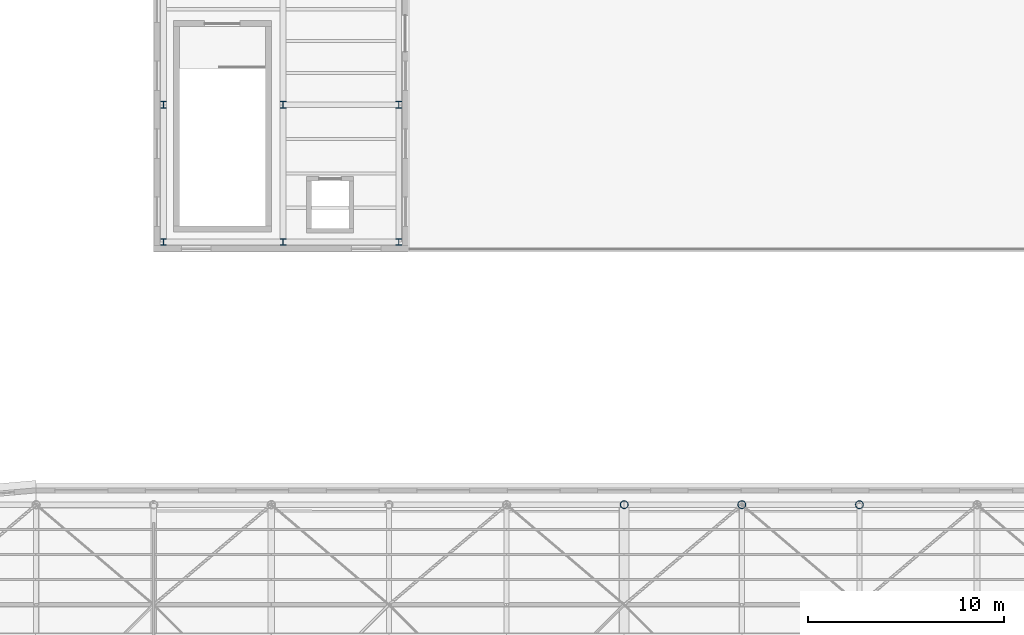
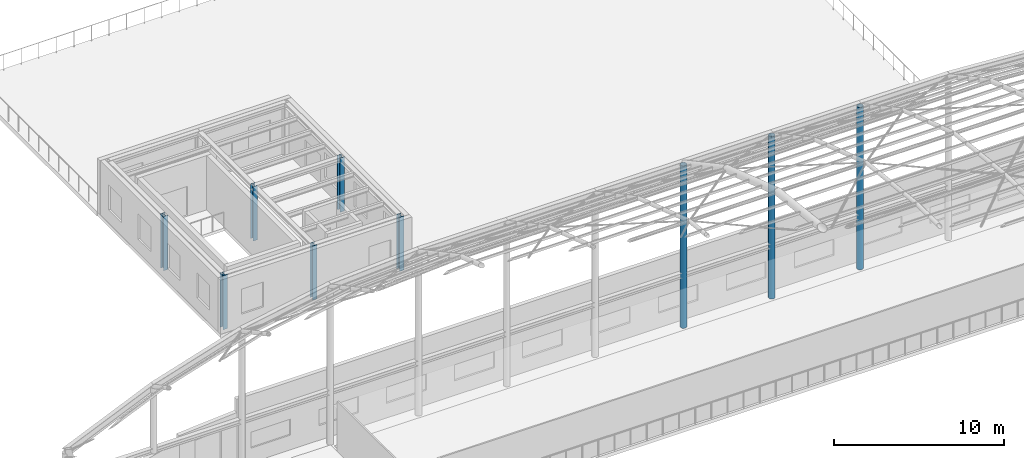
# One storey, part 10 of 75: 9 columns.
"""IFC4 building model written with IfcOpenShell, lengths in metres."""

from ifc_helpers import new_model, si_unit, direction, frame, origin, origin_2d, place, context, subcontext, project, spatial, hollow_circle, i_section, extrude, material, material_profile, profile_set, type_object, element, save


model = new_model("IFC4")

# Units and contexts
model_context = context("Model", 3, precision=1e-05, world=origin(), true_north=direction((0.0, 1.0)))
body_context = subcontext(model_context, "Body", "Model", "MODEL_VIEW")
ifc_project = project(units=[si_unit("LENGTHUNIT", "METRE"), si_unit("AREAUNIT", "SQUARE_METRE"), si_unit("VOLUMEUNIT", "CUBIC_METRE"), si_unit("PLANEANGLEUNIT", "RADIAN"), si_unit("MASSUNIT", "GRAM", prefix="KILO")], contexts=[model_context])

# Site, building, storey
site_placement = place(None, origin())
site = spatial("IfcSite", under=ifc_project, at=site_placement, CompositionType="ELEMENT")
building_placement = place(site_placement, origin())
building = spatial("IfcBuilding", under=site, at=building_placement, Name="Kolvaren Corner Interchange", CompositionType="ELEMENT")
storey_placement = place(building_placement, frame((0.0, 0.0, 10.5)))
storey = spatial("IfcBuildingStorey", under=building, at=storey_placement, Name="L03", CompositionType="ELEMENT", Elevation=10.5)

# Columns
ifc_material_1 = material(Name="Steel S355", Category="steel")
ifc_material_profile_1 = material_profile(ifc_material_1, hollow_circle(Radius=0.203125, WallThickness=0.01611328125, at=origin_2d()), Name="CHS 406.4x16.0")
ifc_profile_set_1 = profile_set([ifc_material_profile_1], Name="Steel S355")
column_type_1 = type_object("IfcColumnType", Name="COL-CHS406", PredefinedType="COLUMN", material=ifc_profile_set_1)
for number, where, z_axis, x_axis, name in (
    (1, (90.0, 71.10009765625, 0.0), (0.0, 0.0, 1.0), (1.0, 0.0, 0.0), "Storey L03 Structural Column 0582"),
    (2, (96.0, 71.10009765625, 0.0), (0.0, 0.0, 1.0), (1.0, 0.0, 0.0), "Storey L03 Structural Column 0602"),
    (3, (102.0, 71.10009765625, 0.0), (0.0, 0.0, 1.0), (1.0, 0.0, 0.0), "Storey L03 Structural Column 0622"),
):
    element("IfcColumn", number, at=place(storey_placement, frame(where, z_axis=z_axis, x_axis=x_axis)), inside=storey, type_object=column_type_1, Name=name, PredefinedType="COLUMN", context=body_context, shape_type="SweptSolid", body=[
        extrude(hollow_circle(Radius=0.203125, WallThickness=0.01611328125, at=origin_2d()), origin(), (0.0, 0.0, 1.0), 11.6650390625),
    ])
ifc_material_2 = material(Name="Steel S355", Category="steel")
ifc_material_profile_2 = material_profile(ifc_material_2, i_section(OverallWidth=0.300048828125, OverallDepth=0.340087890625, WebThickness=0.011962890625, FlangeThickness=0.021484375, FilletRadius=0.027099609375, at=origin_2d()), Name="HEB 340")
ifc_profile_set_2 = profile_set([ifc_material_profile_2], Name="Steel S355")
column_type_2 = type_object("IfcColumnType", Name="COL-HEB340", PredefinedType="COLUMN", material=ifc_profile_set_2)
for number, where, z_axis, x_axis, name in (
    (4, (66.5, 84.5, 0.0), (0.0, 0.0, 1.0), (1.0, 0.0, 0.0), "Storey L03 Structural Column 0849"),
    (5, (66.5, 91.5, 0.0), (0.0, 0.0, 1.0), (1.0, 0.0, 0.0), "Storey L03 Structural Column 0852"),
    (6, (72.60009765625, 84.5, 0.0), (0.0, 0.0, 1.0), (1.0, 0.0, 0.0), "Storey L03 Structural Column 0862"),
    (7, (72.60009765625, 91.5, 0.0), (0.0, 0.0, 1.0), (1.0, 0.0, 0.0), "Storey L03 Structural Column 0865"),
    (8, (78.5, 84.5, 0.0), (0.0, 0.0, 1.0), (1.0, 0.0, 0.0), "Storey L03 Structural Column 0875"),
    (9, (78.5, 91.5, 0.0), (0.0, 0.0, 1.0), (1.0, 0.0, 0.0), "Storey L03 Structural Column 0878"),
):
    element("IfcColumn", number, at=place(storey_placement, frame(where, z_axis=z_axis, x_axis=x_axis)), inside=storey, type_object=column_type_2, Name=name, PredefinedType="COLUMN", context=body_context, shape_type="SweptSolid", body=[
        extrude(i_section(OverallWidth=0.300048828125, OverallDepth=0.340087890625, WebThickness=0.011962890625, FlangeThickness=0.021484375, FilletRadius=0.027099609375, at=origin_2d()), origin(), (0.0, 0.0, 1.0), 3.89990234375),
    ])

save(model, "model.ifc")
